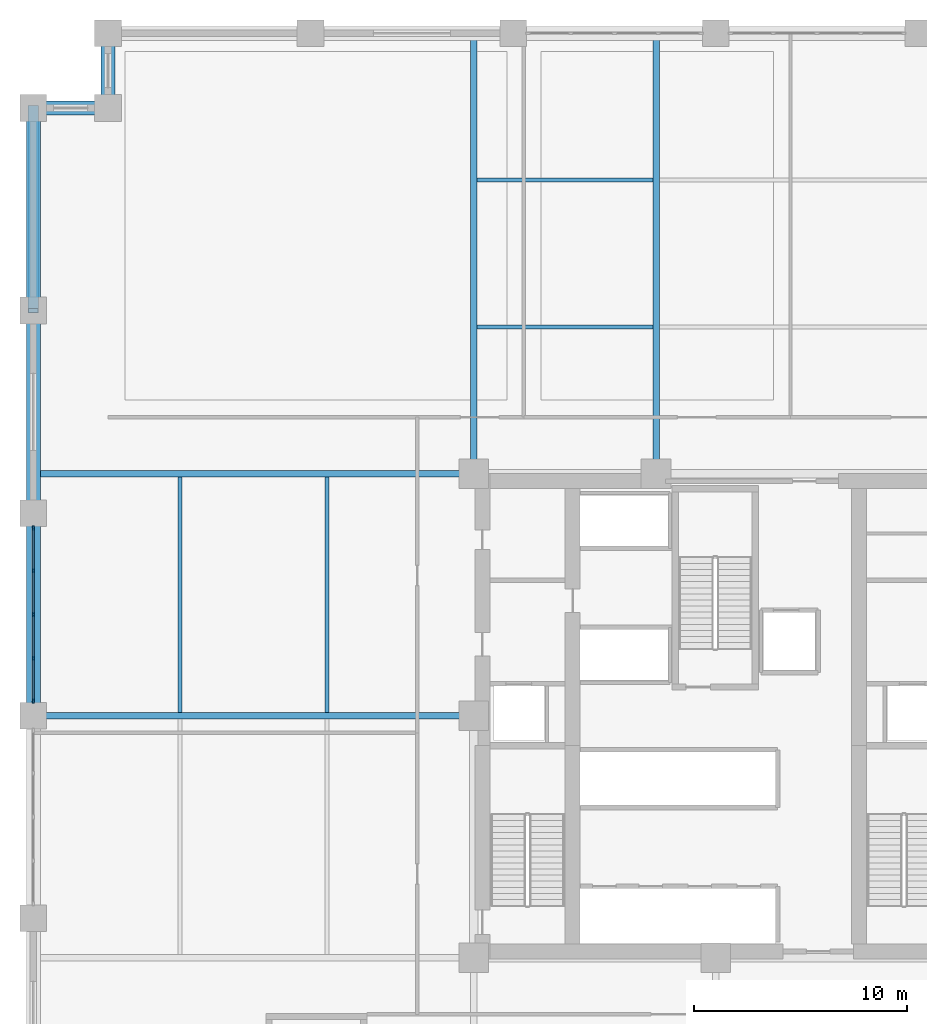
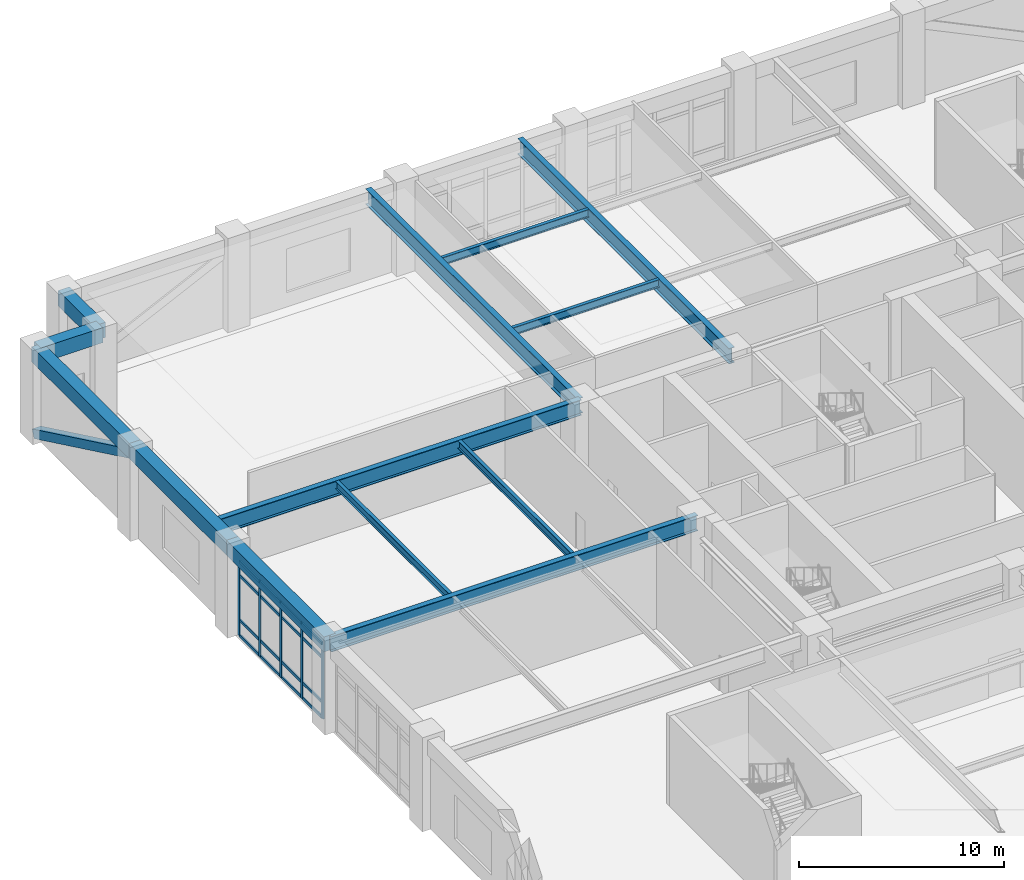
# One storey, part 6 of 21: 22 members, 13 beams, 1 element without a shape of its own.
"""IFC4 building model written with IfcOpenShell, lengths in metres."""

from ifc_helpers import new_model, si_unit, direction, frame, origin, origin_2d, place, context, subcontext, project, spatial, rectangle, hollow_rectangle, i_section, extrude, material, layer, layer_set, material_profile, profile_set, type_object, element, aggregate, save


model = new_model("IFC4")

# Units and contexts
model_context = context("Model", 3, precision=1e-05, world=origin(), true_north=direction((0.0, 1.0)))
body_context = subcontext(model_context, "Body", "Model", "MODEL_VIEW")
ifc_project = project(units=[si_unit("LENGTHUNIT", "METRE"), si_unit("AREAUNIT", "SQUARE_METRE"), si_unit("VOLUMEUNIT", "CUBIC_METRE"), si_unit("PLANEANGLEUNIT", "RADIAN"), si_unit("MASSUNIT", "GRAM", prefix="KILO")], contexts=[model_context])

# Site, building, storey
site_placement = place(None, origin())
site = spatial("IfcSite", under=ifc_project, at=site_placement, CompositionType="ELEMENT")
building_placement = place(site_placement, origin())
building = spatial("IfcBuilding", under=site, at=building_placement, Name="Nhamokura Convention Tower", CompositionType="ELEMENT")
storey_placement = place(building_placement, frame((0.0, 0.0, 6.64990234375)))
storey = spatial("IfcBuildingStorey", under=building, at=storey_placement, Name="L01", CompositionType="ELEMENT", Elevation=6.64990234375)

# Curtain wall, members
ifc_material_1 = material(Name="Anodised bronze aluminium AA6063-T6", Category="aluminium")
ifc_layer = layer(ifc_material_1, 0.179931640625)
ifc_layer_set = layer_set([ifc_layer], Name="CWSystem_PodiumConcourse")
curtain_wall_type = type_object("IfcCurtainWallType", Name="CWSystem_PodiumConcourse", PredefinedType="NOTDEFINED", material=ifc_layer_set)
curtain_wall_placement = place(storey_placement, origin())
curtain_wall = element("IfcCurtainWall", 1, at=curtain_wall_placement, inside=storey, type_object=curtain_wall_type, Name="L01 Curtain Wall ENV-L01-CW-W3", PredefinedType="NOTDEFINED")
ifc_material_2 = material(Name="Anodised bronze aluminium AA6063-T6", Category="aluminium")
ifc_material_profile_1 = material_profile(ifc_material_2, rectangle(XDim=0.077880859375, YDim=0.201904296875, at=origin_2d()))
ifc_profile_set_1 = profile_set([ifc_material_profile_1], Name="Anodised bronze aluminium AA6063-T6")
member_type_1 = type_object("IfcMemberType", Name="CWMullion_1", PredefinedType="MULLION", material=ifc_profile_set_1)
member_1_placement = place(storey_placement, frame((0.0, 32.68896484375, 0.0), z_axis=(0.0, 0.0, 1.0), x_axis=(-1.0, 0.0, 0.0)))
member_1 = element("IfcMember", 2, at=member_1_placement, type_object=member_type_1, Name="CW-01 mullion 1", PredefinedType="MULLION", context=body_context, shape_type="SweptSolid", body=[
    extrude(rectangle(XDim=0.077880859375, YDim=0.201904296875, at=origin_2d()), origin(), (0.0, 0.0, 1.0), 4.460205078125),
])
member_2_placement = place(storey_placement, frame((0.0, 34.699951171875, 0.0), z_axis=(0.0, 0.0, 1.0), x_axis=(-1.0, 0.0, 0.0)))
member_2 = element("IfcMember", 3, at=member_2_placement, type_object=member_type_1, Name="CW-01 mullion 2", PredefinedType="MULLION", context=body_context, shape_type="SweptSolid", body=[
    extrude(rectangle(XDim=0.077880859375, YDim=0.201904296875, at=origin_2d()), origin(), (0.0, 0.0, 1.0), 4.460205078125),
])
member_3_placement = place(storey_placement, frame((0.0, 36.75, 0.0), z_axis=(0.0, 0.0, 1.0), x_axis=(-1.0, 0.0, 0.0)))
member_3 = element("IfcMember", 4, at=member_3_placement, type_object=member_type_1, Name="CW-01 mullion 3", PredefinedType="MULLION", context=body_context, shape_type="SweptSolid", body=[
    extrude(rectangle(XDim=0.077880859375, YDim=0.201904296875, at=origin_2d()), origin(), (0.0, 0.0, 1.0), 4.460205078125),
])
member_4_placement = place(storey_placement, frame((0.0, 38.800048828125, 0.0), z_axis=(0.0, 0.0, 1.0), x_axis=(-1.0, 0.0, 0.0)))
member_4 = element("IfcMember", 5, at=member_4_placement, type_object=member_type_1, Name="CW-01 mullion 4", PredefinedType="MULLION", context=body_context, shape_type="SweptSolid", body=[
    extrude(rectangle(XDim=0.077880859375, YDim=0.201904296875, at=origin_2d()), origin(), (0.0, 0.0, 1.0), 4.460205078125),
])
member_5_placement = place(storey_placement, frame((0.0, 40.81103515625, 0.0), z_axis=(0.0, 0.0, 1.0), x_axis=(-1.0, 0.0, 0.0)))
member_5 = element("IfcMember", 6, at=member_5_placement, type_object=member_type_1, Name="CW-01 mullion 5", PredefinedType="MULLION", context=body_context, shape_type="SweptSolid", body=[
    extrude(rectangle(XDim=0.077880859375, YDim=0.201904296875, at=origin_2d()), origin(), (0.0, 0.0, 1.0), 4.460205078125),
])
ifc_material_3 = material(Name="Anodised bronze aluminium AA6063-T6", Category="aluminium")
ifc_material_profile_2 = material_profile(ifc_material_3, rectangle(XDim=0.077880859375, YDim=0.172119140625, at=origin_2d()))
ifc_profile_set_2 = profile_set([ifc_material_profile_2], Name="Anodised bronze aluminium AA6063-T6")
member_type_2 = type_object("IfcMemberType", Name="CWTransom_1", PredefinedType="USERDEFINED", material=ifc_profile_set_2)
member_6_placement = place(storey_placement, frame((0.0, 32.72802734375, 0.0390625), z_axis=(0.0, 1.0, 0.0), x_axis=(-1.0, 0.0, 0.0)))
member_6 = element("IfcMember", 7, at=member_6_placement, type_object=member_type_2, Name="CW-01 transom 1.1", ObjectType="TRANSOM", PredefinedType="USERDEFINED", context=body_context, shape_type="SweptSolid", body=[
    extrude(rectangle(XDim=0.077880859375, YDim=0.172119140625, at=origin_2d()), origin(), (0.0, 0.0, 1.0), 1.932861328125),
])
member_7_placement = place(storey_placement, frame((0.0, 32.72802734375, 0.9501953125), z_axis=(0.0, 1.0, 0.0), x_axis=(-1.0, 0.0, 0.0)))
member_7 = element("IfcMember", 8, at=member_7_placement, type_object=member_type_2, Name="CW-01 transom 1.2", ObjectType="TRANSOM", PredefinedType="USERDEFINED", context=body_context, shape_type="SweptSolid", body=[
    extrude(rectangle(XDim=0.077880859375, YDim=0.172119140625, at=origin_2d()), origin(), (0.0, 0.0, 1.0), 1.932861328125),
])
member_8_placement = place(storey_placement, frame((0.0, 32.72802734375, 3.610107421875), z_axis=(0.0, 1.0, 0.0), x_axis=(-1.0, 0.0, 0.0)))
member_8 = element("IfcMember", 9, at=member_8_placement, type_object=member_type_2, Name="CW-01 transom 1.3", ObjectType="TRANSOM", PredefinedType="USERDEFINED", context=body_context, shape_type="SweptSolid", body=[
    extrude(rectangle(XDim=0.077880859375, YDim=0.172119140625, at=origin_2d()), origin(), (0.0, 0.0, 1.0), 1.932861328125),
])
member_9_placement = place(storey_placement, frame((0.0, 32.72802734375, 4.421142578125), z_axis=(0.0, 1.0, 0.0), x_axis=(-1.0, 0.0, 0.0)))
member_9 = element("IfcMember", 10, at=member_9_placement, type_object=member_type_2, Name="CW-01 transom 1.4", ObjectType="TRANSOM", PredefinedType="USERDEFINED", context=body_context, shape_type="SweptSolid", body=[
    extrude(rectangle(XDim=0.077880859375, YDim=0.172119140625, at=origin_2d()), origin(), (0.0, 0.0, 1.0), 1.932861328125),
])
member_10_placement = place(storey_placement, frame((0.0, 34.739013671875, 0.0390625), z_axis=(0.0, 1.0, 0.0), x_axis=(-1.0, 0.0, 0.0)))
member_10 = element("IfcMember", 11, at=member_10_placement, type_object=member_type_2, Name="CW-01 transom 2.1", ObjectType="TRANSOM", PredefinedType="USERDEFINED", context=body_context, shape_type="SweptSolid", body=[
    extrude(rectangle(XDim=0.077880859375, YDim=0.172119140625, at=origin_2d()), origin(), (0.0, 0.0, 1.0), 1.971923828125),
])
member_11_placement = place(storey_placement, frame((0.0, 34.739013671875, 0.9501953125), z_axis=(0.0, 1.0, 0.0), x_axis=(-1.0, 0.0, 0.0)))
member_11 = element("IfcMember", 12, at=member_11_placement, type_object=member_type_2, Name="CW-01 transom 2.2", ObjectType="TRANSOM", PredefinedType="USERDEFINED", context=body_context, shape_type="SweptSolid", body=[
    extrude(rectangle(XDim=0.077880859375, YDim=0.172119140625, at=origin_2d()), origin(), (0.0, 0.0, 1.0), 1.971923828125),
])
member_12_placement = place(storey_placement, frame((0.0, 34.739013671875, 3.610107421875), z_axis=(0.0, 1.0, 0.0), x_axis=(-1.0, 0.0, 0.0)))
member_12 = element("IfcMember", 13, at=member_12_placement, type_object=member_type_2, Name="CW-01 transom 2.3", ObjectType="TRANSOM", PredefinedType="USERDEFINED", context=body_context, shape_type="SweptSolid", body=[
    extrude(rectangle(XDim=0.077880859375, YDim=0.172119140625, at=origin_2d()), origin(), (0.0, 0.0, 1.0), 1.971923828125),
])
member_13_placement = place(storey_placement, frame((0.0, 34.739013671875, 4.421142578125), z_axis=(0.0, 1.0, 0.0), x_axis=(-1.0, 0.0, 0.0)))
member_13 = element("IfcMember", 14, at=member_13_placement, type_object=member_type_2, Name="CW-01 transom 2.4", ObjectType="TRANSOM", PredefinedType="USERDEFINED", context=body_context, shape_type="SweptSolid", body=[
    extrude(rectangle(XDim=0.077880859375, YDim=0.172119140625, at=origin_2d()), origin(), (0.0, 0.0, 1.0), 1.971923828125),
])
member_14_placement = place(storey_placement, frame((0.0, 36.7890625, 0.0390625), z_axis=(0.0, 1.0, 0.0), x_axis=(-1.0, 0.0, 0.0)))
member_14 = element("IfcMember", 15, at=member_14_placement, type_object=member_type_2, Name="CW-01 transom 3.1", ObjectType="TRANSOM", PredefinedType="USERDEFINED", context=body_context, shape_type="SweptSolid", body=[
    extrude(rectangle(XDim=0.077880859375, YDim=0.172119140625, at=origin_2d()), origin(), (0.0, 0.0, 1.0), 1.971923828125),
])
member_15_placement = place(storey_placement, frame((0.0, 36.7890625, 0.9501953125), z_axis=(0.0, 1.0, 0.0), x_axis=(-1.0, 0.0, 0.0)))
member_15 = element("IfcMember", 16, at=member_15_placement, type_object=member_type_2, Name="CW-01 transom 3.2", ObjectType="TRANSOM", PredefinedType="USERDEFINED", context=body_context, shape_type="SweptSolid", body=[
    extrude(rectangle(XDim=0.077880859375, YDim=0.172119140625, at=origin_2d()), origin(), (0.0, 0.0, 1.0), 1.971923828125),
])
member_16_placement = place(storey_placement, frame((0.0, 36.7890625, 3.610107421875), z_axis=(0.0, 1.0, 0.0), x_axis=(-1.0, 0.0, 0.0)))
member_16 = element("IfcMember", 17, at=member_16_placement, type_object=member_type_2, Name="CW-01 transom 3.3", ObjectType="TRANSOM", PredefinedType="USERDEFINED", context=body_context, shape_type="SweptSolid", body=[
    extrude(rectangle(XDim=0.077880859375, YDim=0.172119140625, at=origin_2d()), origin(), (0.0, 0.0, 1.0), 1.971923828125),
])
member_17_placement = place(storey_placement, frame((0.0, 36.7890625, 4.421142578125), z_axis=(0.0, 1.0, 0.0), x_axis=(-1.0, 0.0, 0.0)))
member_17 = element("IfcMember", 18, at=member_17_placement, type_object=member_type_2, Name="CW-01 transom 3.4", ObjectType="TRANSOM", PredefinedType="USERDEFINED", context=body_context, shape_type="SweptSolid", body=[
    extrude(rectangle(XDim=0.077880859375, YDim=0.172119140625, at=origin_2d()), origin(), (0.0, 0.0, 1.0), 1.971923828125),
])
member_18_placement = place(storey_placement, frame((0.0, 38.839111328125, 0.0390625), z_axis=(0.0, 1.0, 0.0), x_axis=(-1.0, 0.0, 0.0)))
member_18 = element("IfcMember", 19, at=member_18_placement, type_object=member_type_2, Name="CW-01 transom 4.1", ObjectType="TRANSOM", PredefinedType="USERDEFINED", context=body_context, shape_type="SweptSolid", body=[
    extrude(rectangle(XDim=0.077880859375, YDim=0.172119140625, at=origin_2d()), origin(), (0.0, 0.0, 1.0), 1.932861328125),
])
member_19_placement = place(storey_placement, frame((0.0, 38.839111328125, 0.9501953125), z_axis=(0.0, 1.0, 0.0), x_axis=(-1.0, 0.0, 0.0)))
member_19 = element("IfcMember", 20, at=member_19_placement, type_object=member_type_2, Name="CW-01 transom 4.2", ObjectType="TRANSOM", PredefinedType="USERDEFINED", context=body_context, shape_type="SweptSolid", body=[
    extrude(rectangle(XDim=0.077880859375, YDim=0.172119140625, at=origin_2d()), origin(), (0.0, 0.0, 1.0), 1.932861328125),
])
member_20_placement = place(storey_placement, frame((0.0, 38.839111328125, 3.610107421875), z_axis=(0.0, 1.0, 0.0), x_axis=(-1.0, 0.0, 0.0)))
member_20 = element("IfcMember", 21, at=member_20_placement, type_object=member_type_2, Name="CW-01 transom 4.3", ObjectType="TRANSOM", PredefinedType="USERDEFINED", context=body_context, shape_type="SweptSolid", body=[
    extrude(rectangle(XDim=0.077880859375, YDim=0.172119140625, at=origin_2d()), origin(), (0.0, 0.0, 1.0), 1.932861328125),
])
member_21_placement = place(storey_placement, frame((0.0, 38.839111328125, 4.421142578125), z_axis=(0.0, 1.0, 0.0), x_axis=(-1.0, 0.0, 0.0)))
member_21 = element("IfcMember", 22, at=member_21_placement, type_object=member_type_2, Name="CW-01 transom 4.4", ObjectType="TRANSOM", PredefinedType="USERDEFINED", context=body_context, shape_type="SweptSolid", body=[
    extrude(rectangle(XDim=0.077880859375, YDim=0.172119140625, at=origin_2d()), origin(), (0.0, 0.0, 1.0), 1.932861328125),
])
aggregate(curtain_wall, [member_1, member_2, member_3, member_4, member_5, member_6, member_7, member_8, member_9, member_10, member_11, member_12, member_13, member_14, member_15, member_16, member_17, member_18, member_19, member_20, member_21])

# Beams
ifc_material_4 = material(Name="Steel ASTM A992 Gr 50", Category="steel")
ifc_material_profile_3 = material_profile(ifc_material_4, i_section(OverallWidth=0.19189453125, OverallDepth=0.462890625, WebThickness=0.010498046875, FlangeThickness=0.017578125, at=origin_2d()))
ifc_profile_set_3 = profile_set([ifc_material_profile_3], Name="Steel ASTM A992 Gr 50")
beam_type_1 = type_object("IfcBeamType", Name="FloorJoist_W460X89", PredefinedType="JOIST", material=ifc_profile_set_3)
for number, where, z_axis, x_axis, name in (
    (23, (20.802001953125, 50.2333984375, 5.128662109375), (1.0, 0.0, 0.0), (0.0, 1.0, 0.0), "L01 Composite Floor Joist N1A"),
    (24, (20.802001953125, 57.11669921875, 5.128662109375), (1.0, 0.0, 0.0), (0.0, 1.0, 0.0), "L01 Composite Floor Joist N2A"),
):
    element("IfcBeam", number, at=place(storey_placement, frame(where, z_axis=z_axis, x_axis=x_axis)), inside=storey, type_object=beam_type_1, Name=name, PredefinedType="JOIST", context=body_context, shape_type="SweptSolid", body=[
        extrude(i_section(OverallWidth=0.19189453125, OverallDepth=0.462890625, WebThickness=0.010498046875, FlangeThickness=0.017578125, at=origin_2d()), origin(), (0.0, 0.0, 1.0), 8.24609375),
    ])
for number, where, z_axis, x_axis, name in (
    (25, (6.88330078125, 32.152099609375, 5.128662109375), (0.0, 1.0, 0.0), (-1.0, 0.0, 0.0), "L01 Composite Floor Joist W1B"),
    (26, (13.7666015625, 32.152099609375, 5.128662109375), (0.0, 1.0, 0.0), (-1.0, 0.0, 0.0), "L01 Composite Floor Joist W2B"),
):
    element("IfcBeam", number, at=place(storey_placement, frame(where, z_axis=z_axis, x_axis=x_axis)), inside=storey, type_object=beam_type_1, Name=name, PredefinedType="JOIST", context=body_context, shape_type="SweptSolid", body=[
        extrude(i_section(OverallWidth=0.19189453125, OverallDepth=0.462890625, WebThickness=0.010498046875, FlangeThickness=0.017578125, at=origin_2d()), origin(), (0.0, 0.0, 1.0), 11.0458984375),
    ])
ifc_material_5 = material(Name="Steel ASTM A992 Gr 50", Category="steel")
ifc_material_profile_4 = material_profile(ifc_material_5, i_section(OverallWidth=0.30810546875, OverallDepth=0.927001953125, WebThickness=0.019287109375, FlangeThickness=0.031982421875, at=origin_2d()))
ifc_profile_set_4 = profile_set([ifc_material_profile_4], Name="Steel ASTM A992 Gr 50")
beam_type_2 = type_object("IfcBeamType", Name="HallGirder_W920X289", PredefinedType="BEAM", material=ifc_profile_set_4)
for number, where, z_axis, x_axis, name in (
    (27, (20.64990234375, 43.35009765625, 4.896484375), (0.0, 1.0, 0.0), (-1.0, 0.0, 0.0), "L01 Primary Floor Girder PG-N1"),
    (28, (29.199951171875, 43.35009765625, 4.896484375), (0.0, 1.0, 0.0), (-1.0, 0.0, 0.0), "L01 Primary Floor Girder PG-N2"),
    (29, (0.0, 32.0, 4.896484375), (1.0, 0.0, 0.0), (0.0, 1.0, 0.0), "L01 Primary Floor Girder PG-W2"),
    (30, (0.0, 43.35009765625, 4.896484375), (1.0, 0.0, 0.0), (0.0, 1.0, 0.0), "L01 Primary Floor Girder PG-W3"),
):
    element("IfcBeam", number, at=place(storey_placement, frame(where, z_axis=z_axis, x_axis=x_axis)), inside=storey, type_object=beam_type_2, Name=name, PredefinedType="BEAM", context=body_context, shape_type="SweptSolid", body=[
        extrude(i_section(OverallWidth=0.30810546875, OverallDepth=0.927001953125, WebThickness=0.019287109375, FlangeThickness=0.031982421875, at=origin_2d()), origin(), (0.0, 0.0, 1.0), 20.64990234375),
    ])

# Member
ifc_material_6 = material(Name="Steel ASTM A572 Gr 50", Category="steel")
ifc_material_profile_5 = material_profile(ifc_material_6, hollow_rectangle(XDim=0.5, YDim=0.5, WallThickness=0.02490234375, at=origin_2d()))
ifc_profile_set_5 = profile_set([ifc_material_profile_5], Name="Steel ASTM A572 Gr 50")
member_type_3 = type_object("IfcMemberType", Name="TubeBrace_HSS500", PredefinedType="BRACE", material=ifc_profile_set_5)
member_22_placement = place(storey_placement, frame((0.0, 60.5, 0.150146484375), z_axis=(0.0, -0.901520888263, 0.432735586734), x_axis=(1.0, 0.0, 0.0)))
element("IfcMember", 31, at=member_22_placement, inside=storey, type_object=member_type_3, Name="L01 Perimeter Tube Brace WEST Bay 5", PredefinedType="BRACE", context=body_context, shape_type="SweptSolid", body=[
    extrude(hollow_rectangle(XDim=0.5, YDim=0.5, WallThickness=0.02490234375, at=origin_2d()), origin(), (0.0, 0.0, 1.0), 10.537841796875),
])

# Beams
ifc_material_7 = material(Name="Concrete C60/75", Category="concrete")
ifc_material_profile_6 = material_profile(ifc_material_7, rectangle(XDim=0.64990234375, YDim=0.89990234375, at=origin_2d()))
ifc_profile_set_6 = profile_set([ifc_material_profile_6], Name="Concrete C60/75")
beam_type_3 = type_object("IfcBeamType", Name="TubeSpandrel_900", PredefinedType="SPANDREL", material=ifc_profile_set_6)
for number, where, z_axis, x_axis, name in (
    (32, (0.0, 32.0, 4.91015625), (0.0, 1.0, 0.0), (-1.0, 0.0, 0.0), "L01 Perimeter Spandrel WEST 4"),
    (33, (0.0, 41.5, 4.91015625), (0.0, 1.0, 0.0), (-1.0, 0.0, 0.0), "L01 Perimeter Spandrel WEST 5"),
    (34, (0.0, 51.0, 4.91015625), (0.0, 1.0, 0.0), (-1.0, 0.0, 0.0), "L01 Perimeter Spandrel WEST 6"),
):
    element("IfcBeam", number, at=place(storey_placement, frame(where, z_axis=z_axis, x_axis=x_axis)), inside=storey, type_object=beam_type_3, Name=name, PredefinedType="SPANDREL", context=body_context, shape_type="SweptSolid", body=[
        extrude(rectangle(XDim=0.64990234375, YDim=0.89990234375, at=origin_2d()), origin(), (0.0, 0.0, 1.0), 9.5),
    ])
for number, where, z_axis, x_axis, name in (
    (35, (3.5, 64.0, 4.91015625), (0.0, -1.0, 0.0), (1.0, 0.0, 0.0), "L01 Notch Spandrel NW1"),
    (36, (3.5, 60.5, 4.91015625), (-1.0, 0.0, 0.0), (0.0, -1.0, 0.0), "L01 Notch Spandrel NW2"),
):
    element("IfcBeam", number, at=place(storey_placement, frame(where, z_axis=z_axis, x_axis=x_axis)), inside=storey, type_object=beam_type_3, Name=name, PredefinedType="SPANDREL", context=body_context, shape_type="SweptSolid", body=[
        extrude(rectangle(XDim=0.64990234375, YDim=0.89990234375, at=origin_2d()), origin(), (0.0, 0.0, 1.0), 3.5),
    ])

save(model, "model.ifc")
